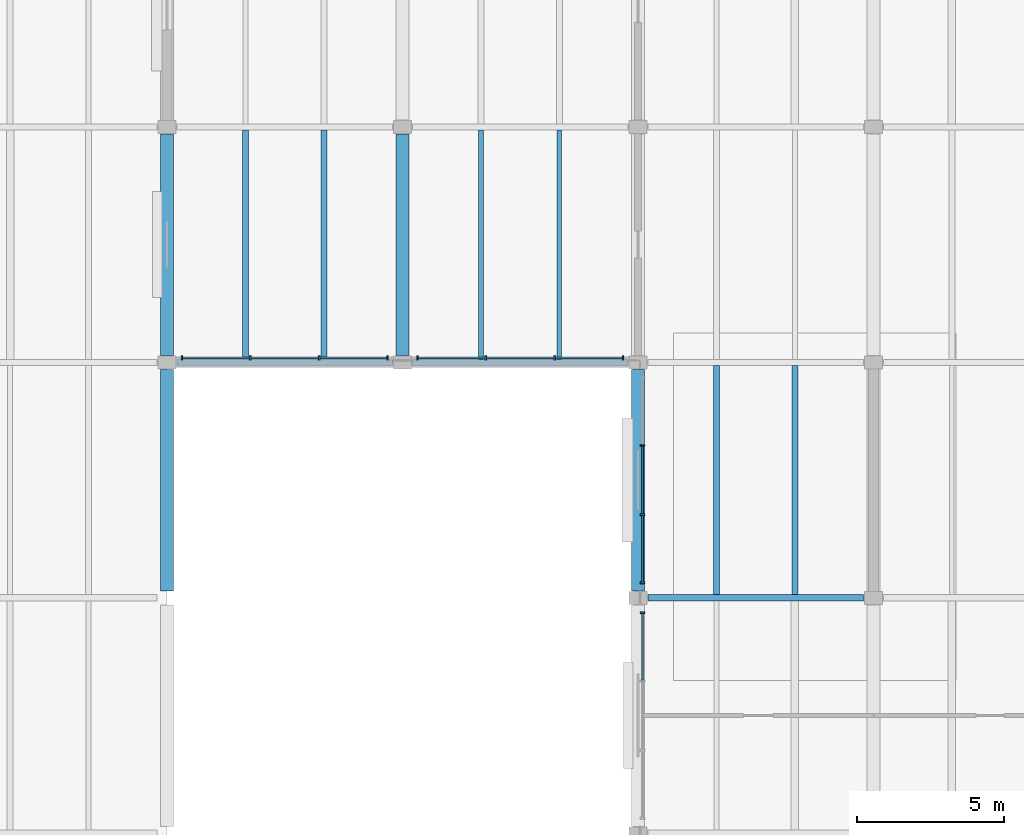
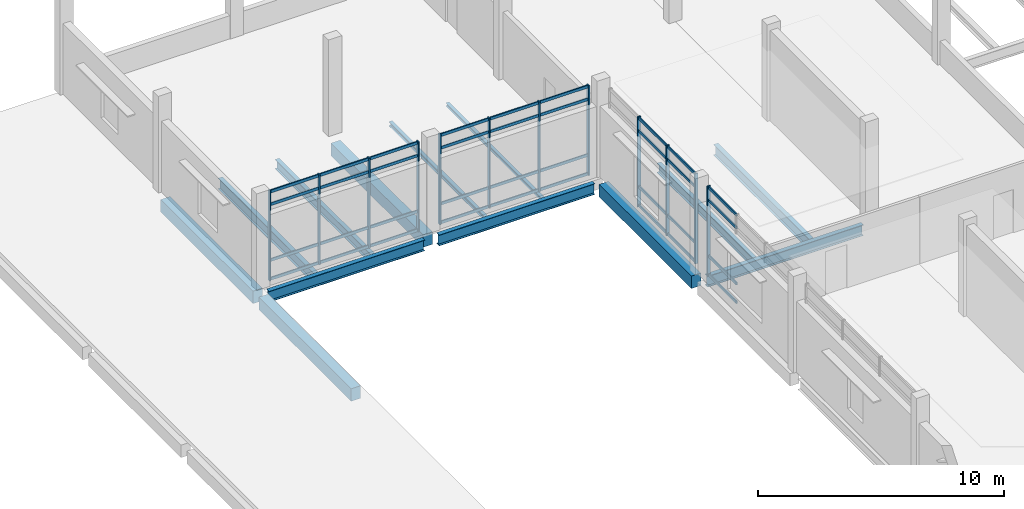
# One storey, part 7 of 52: 48 members, 13 beams, 4 elements without a shape of their own.
"""IFC4 building model written with IfcOpenShell, lengths in metres."""

from ifc_helpers import new_model, si_unit, direction, frame, origin, origin_2d, place, context, subcontext, project, spatial, rectangle, i_section, extrude, material, material_profile, profile_set, type_object, element, aggregate, save


model = new_model("IFC4")

# Units and contexts
model_context = context("Model", 3, precision=1e-05, world=origin(), true_north=direction((0.0, 1.0)))
body_context = subcontext(model_context, "Body", "Model", "MODEL_VIEW")
ifc_project = project(units=[si_unit("LENGTHUNIT", "METRE"), si_unit("AREAUNIT", "SQUARE_METRE"), si_unit("VOLUMEUNIT", "CUBIC_METRE"), si_unit("PLANEANGLEUNIT", "RADIAN"), si_unit("MASSUNIT", "GRAM", prefix="KILO")], contexts=[model_context])

# Site, building, storey
site_placement = place(None, origin())
site = spatial("IfcSite", under=ifc_project, at=site_placement, CompositionType="ELEMENT")
building_placement = place(site_placement, origin())
building = spatial("IfcBuilding", under=site, at=building_placement, Name="Pecanmere Concourse Central Library", CompositionType="ELEMENT")
storey_placement = place(building_placement, frame((0.0, 0.0, 10.5)))
storey = spatial("IfcBuildingStorey", under=building, at=storey_placement, Name="L03", CompositionType="ELEMENT", Elevation=10.5)

# Curtain wall, member
ifc_material_1 = material(Name="Clear anodized aluminium alloy 6063-T6", Category="aluminium")
curtain_wall_type = type_object("IfcCurtainWallType", Name="CW_CLOISTER_GLAZ", PredefinedType="USERDEFINED", material=ifc_material_1)
curtain_wall_1_placement = place(storey_placement, origin())
curtain_wall_1 = element("IfcCurtainWall", 1, at=curtain_wall_1_placement, inside=storey, type_object=curtain_wall_type, Name="Unitised Curtain Wall CW-04 L03-132", ObjectType="UNITISED CURTAIN WALL", PredefinedType="USERDEFINED")
ifc_material_2 = material(Name="Clear anodized aluminium alloy 6063-T6", Category="aluminium")
ifc_material_profile_1 = material_profile(ifc_material_2, rectangle(XDim=0.06005859375, YDim=0.14990234375, at=origin_2d()), Name="AL 60x150")
ifc_profile_set_1 = profile_set([ifc_material_profile_1], Name="Clear anodized aluminium alloy 6063-T6")
member_type_1 = type_object("IfcMemberType", Name="CWM_150x60", PredefinedType="MULLION", material=ifc_profile_set_1)
member_1_placement = place(storey_placement, frame((48.14990234375, 81.489990234375, 0.0), z_axis=(0.0, 0.0, 1.0), x_axis=(0.0, -1.0, 0.0)))
member_1 = element("IfcMember", 2, at=member_1_placement, type_object=member_type_1, Name="CW-04 Mullion 1", PredefinedType="MULLION", context=body_context, shape_type="SweptSolid", body=[
    extrude(rectangle(XDim=0.06005859375, YDim=0.14990234375, at=origin_2d()), origin(), (0.0, 0.0, 1.0), 4.47998046875),
])

# Curtain wall, members
curtain_wall_2_placement = place(storey_placement, origin())
curtain_wall_2 = element("IfcCurtainWall", 3, at=curtain_wall_2_placement, inside=storey, type_object=curtain_wall_type, Name="Unitised Curtain Wall CW-04 L03-134", ObjectType="UNITISED CURTAIN WALL", PredefinedType="USERDEFINED")
member_2_placement = place(storey_placement, frame((48.14990234375, 87.17333984375, 0.0), z_axis=(0.0, 0.0, 1.0), x_axis=(0.0, -1.0, 0.0)))
member_2 = element("IfcMember", 4, at=member_2_placement, type_object=member_type_1, Name="CW-04 Mullion 2", PredefinedType="MULLION", context=body_context, shape_type="SweptSolid", body=[
    extrude(rectangle(XDim=0.06005859375, YDim=0.14990234375, at=origin_2d()), origin(), (0.0, 0.0, 1.0), 4.47998046875),
])
member_3_placement = place(storey_placement, frame((48.14990234375, 84.82666015625, 0.0), z_axis=(0.0, 0.0, 1.0), x_axis=(0.0, -1.0, 0.0)))
member_3 = element("IfcMember", 5, at=member_3_placement, type_object=member_type_1, Name="CW-04 Mullion 3", PredefinedType="MULLION", context=body_context, shape_type="SweptSolid", body=[
    extrude(rectangle(XDim=0.06005859375, YDim=0.14990234375, at=origin_2d()), origin(), (0.0, 0.0, 1.0), 4.47998046875),
])
member_4_placement = place(storey_placement, frame((48.14990234375, 82.510009765625, 0.0), z_axis=(0.0, 0.0, 1.0), x_axis=(0.0, -1.0, 0.0)))
member_4 = element("IfcMember", 6, at=member_4_placement, type_object=member_type_1, Name="CW-04 Mullion 4", PredefinedType="MULLION", context=body_context, shape_type="SweptSolid", body=[
    extrude(rectangle(XDim=0.06005859375, YDim=0.14990234375, at=origin_2d()), origin(), (0.0, 0.0, 1.0), 4.47998046875),
])

curtain_wall_3_placement = place(storey_placement, origin())
curtain_wall_3 = element("IfcCurtainWall", 7, at=curtain_wall_3_placement, inside=storey, type_object=curtain_wall_type, Name="Unitised Curtain Wall CW-04 L03-137", ObjectType="UNITISED CURTAIN WALL", PredefinedType="USERDEFINED")
member_5_placement = place(storey_placement, frame((39.489990234375, 90.14990234375, 0.0), z_axis=(0.0, 0.0, 1.0), x_axis=(-1.0, 0.0, 0.0)))
member_5 = element("IfcMember", 8, at=member_5_placement, type_object=member_type_1, Name="CW-04 Mullion 1", PredefinedType="MULLION", context=body_context, shape_type="SweptSolid", body=[
    extrude(rectangle(XDim=0.06005859375, YDim=0.14990234375, at=origin_2d()), origin(), (0.0, 0.0, 1.0), 4.47998046875),
])
member_6_placement = place(storey_placement, frame((37.17333984375, 90.14990234375, 0.0), z_axis=(0.0, 0.0, 1.0), x_axis=(-1.0, 0.0, 0.0)))
member_6 = element("IfcMember", 9, at=member_6_placement, type_object=member_type_1, Name="CW-04 Mullion 2", PredefinedType="MULLION", context=body_context, shape_type="SweptSolid", body=[
    extrude(rectangle(XDim=0.06005859375, YDim=0.14990234375, at=origin_2d()), origin(), (0.0, 0.0, 1.0), 4.47998046875),
])
member_7_placement = place(storey_placement, frame((34.82666015625, 90.14990234375, 0.0), z_axis=(0.0, 0.0, 1.0), x_axis=(-1.0, 0.0, 0.0)))
member_7 = element("IfcMember", 10, at=member_7_placement, type_object=member_type_1, Name="CW-04 Mullion 3", PredefinedType="MULLION", context=body_context, shape_type="SweptSolid", body=[
    extrude(rectangle(XDim=0.06005859375, YDim=0.14990234375, at=origin_2d()), origin(), (0.0, 0.0, 1.0), 4.47998046875),
])
member_8_placement = place(storey_placement, frame((32.510009765625, 90.14990234375, 0.0), z_axis=(0.0, 0.0, 1.0), x_axis=(-1.0, 0.0, 0.0)))
member_8 = element("IfcMember", 11, at=member_8_placement, type_object=member_type_1, Name="CW-04 Mullion 4", PredefinedType="MULLION", context=body_context, shape_type="SweptSolid", body=[
    extrude(rectangle(XDim=0.06005859375, YDim=0.14990234375, at=origin_2d()), origin(), (0.0, 0.0, 1.0), 4.47998046875),
])

curtain_wall_4_placement = place(storey_placement, origin())
curtain_wall_4 = element("IfcCurtainWall", 12, at=curtain_wall_4_placement, inside=storey, type_object=curtain_wall_type, Name="Unitised Curtain Wall CW-04 L03-138", ObjectType="UNITISED CURTAIN WALL", PredefinedType="USERDEFINED")
member_9_placement = place(storey_placement, frame((47.489990234375, 90.14990234375, 0.0), z_axis=(0.0, 0.0, 1.0), x_axis=(-1.0, 0.0, 0.0)))
member_9 = element("IfcMember", 13, at=member_9_placement, type_object=member_type_1, Name="CW-04 Mullion 1", PredefinedType="MULLION", context=body_context, shape_type="SweptSolid", body=[
    extrude(rectangle(XDim=0.06005859375, YDim=0.14990234375, at=origin_2d()), origin(), (0.0, 0.0, 1.0), 4.47998046875),
])
member_10_placement = place(storey_placement, frame((45.17333984375, 90.14990234375, 0.0), z_axis=(0.0, 0.0, 1.0), x_axis=(-1.0, 0.0, 0.0)))
member_10 = element("IfcMember", 14, at=member_10_placement, type_object=member_type_1, Name="CW-04 Mullion 2", PredefinedType="MULLION", context=body_context, shape_type="SweptSolid", body=[
    extrude(rectangle(XDim=0.06005859375, YDim=0.14990234375, at=origin_2d()), origin(), (0.0, 0.0, 1.0), 4.47998046875),
])
member_11_placement = place(storey_placement, frame((42.82666015625, 90.14990234375, 0.0), z_axis=(0.0, 0.0, 1.0), x_axis=(-1.0, 0.0, 0.0)))
member_11 = element("IfcMember", 15, at=member_11_placement, type_object=member_type_1, Name="CW-04 Mullion 3", PredefinedType="MULLION", context=body_context, shape_type="SweptSolid", body=[
    extrude(rectangle(XDim=0.06005859375, YDim=0.14990234375, at=origin_2d()), origin(), (0.0, 0.0, 1.0), 4.47998046875),
])
member_12_placement = place(storey_placement, frame((40.510009765625, 90.14990234375, 0.0), z_axis=(0.0, 0.0, 1.0), x_axis=(-1.0, 0.0, 0.0)))
member_12 = element("IfcMember", 16, at=member_12_placement, type_object=member_type_1, Name="CW-04 Mullion 4", PredefinedType="MULLION", context=body_context, shape_type="SweptSolid", body=[
    extrude(rectangle(XDim=0.06005859375, YDim=0.14990234375, at=origin_2d()), origin(), (0.0, 0.0, 1.0), 4.47998046875),
])

# Member
ifc_material_3 = material(Name="Clear anodized aluminium alloy 6063-T6", Category="aluminium")
ifc_material_profile_2 = material_profile(ifc_material_3, rectangle(XDim=0.054931640625, YDim=0.139892578125, at=origin_2d()), Name="AL 55x140")
ifc_profile_set_2 = profile_set([ifc_material_profile_2], Name="Clear anodized aluminium alloy 6063-T6")
member_type_2 = type_object("IfcMemberType", Name="CWT_140x55", PredefinedType="USERDEFINED", material=ifc_profile_set_2)
member_13_placement = place(storey_placement, frame((48.14990234375, 81.4599609375, 0.070068359375), z_axis=(0.0, -1.0, 0.0), x_axis=(1.0, 0.0, 0.0)))
member_13 = element("IfcMember", 17, at=member_13_placement, type_object=member_type_2, Name="CW-04 Transom 1.1", ObjectType="TRANSOM", PredefinedType="USERDEFINED", context=body_context, shape_type="SweptSolid", body=[
    extrude(rectangle(XDim=0.054931640625, YDim=0.139892578125, at=origin_2d()), origin(), (0.0, 0.0, 1.0), 2.256591796875),
])

member_14_placement = place(storey_placement, frame((48.14990234375, 81.4599609375, 1.0), z_axis=(0.0, -1.0, 0.0), x_axis=(1.0, 0.0, 0.0)))
member_14 = element("IfcMember", 18, at=member_14_placement, type_object=member_type_2, Name="CW-04 Transom 1.2", ObjectType="TRANSOM", PredefinedType="USERDEFINED", context=body_context, shape_type="SweptSolid", body=[
    extrude(rectangle(XDim=0.054931640625, YDim=0.139892578125, at=origin_2d()), origin(), (0.0, 0.0, 1.0), 2.256591796875),
])

member_15_placement = place(storey_placement, frame((48.14990234375, 81.4599609375, 3.780029296875), z_axis=(0.0, -1.0, 0.0), x_axis=(1.0, 0.0, 0.0)))
member_15 = element("IfcMember", 19, at=member_15_placement, type_object=member_type_2, Name="CW-04 Transom 1.3", ObjectType="TRANSOM", PredefinedType="USERDEFINED", context=body_context, shape_type="SweptSolid", body=[
    extrude(rectangle(XDim=0.054931640625, YDim=0.139892578125, at=origin_2d()), origin(), (0.0, 0.0, 1.0), 2.256591796875),
])

member_16_placement = place(storey_placement, frame((48.14990234375, 81.4599609375, 4.409912109375), z_axis=(0.0, -1.0, 0.0), x_axis=(1.0, 0.0, 0.0)))
member_16 = element("IfcMember", 20, at=member_16_placement, type_object=member_type_2, Name="CW-04 Transom 1.4", ObjectType="TRANSOM", PredefinedType="USERDEFINED", context=body_context, shape_type="SweptSolid", body=[
    extrude(rectangle(XDim=0.054931640625, YDim=0.139892578125, at=origin_2d()), origin(), (0.0, 0.0, 1.0), 2.256591796875),
])

aggregate(curtain_wall_1, [member_1, member_13, member_14, member_15, member_16])

member_17_placement = place(storey_placement, frame((48.14990234375, 87.143310546875, 0.070068359375), z_axis=(0.0, -1.0, 0.0), x_axis=(1.0, 0.0, 0.0)))
member_17 = element("IfcMember", 21, at=member_17_placement, type_object=member_type_2, Name="CW-04 Transom 2.1", ObjectType="TRANSOM", PredefinedType="USERDEFINED", context=body_context, shape_type="SweptSolid", body=[
    extrude(rectangle(XDim=0.054931640625, YDim=0.139892578125, at=origin_2d()), origin(), (0.0, 0.0, 1.0), 2.28662109375),
])

member_18_placement = place(storey_placement, frame((48.14990234375, 87.143310546875, 1.0), z_axis=(0.0, -1.0, 0.0), x_axis=(1.0, 0.0, 0.0)))
member_18 = element("IfcMember", 22, at=member_18_placement, type_object=member_type_2, Name="CW-04 Transom 2.2", ObjectType="TRANSOM", PredefinedType="USERDEFINED", context=body_context, shape_type="SweptSolid", body=[
    extrude(rectangle(XDim=0.054931640625, YDim=0.139892578125, at=origin_2d()), origin(), (0.0, 0.0, 1.0), 2.28662109375),
])

member_19_placement = place(storey_placement, frame((48.14990234375, 87.143310546875, 3.780029296875), z_axis=(0.0, -1.0, 0.0), x_axis=(1.0, 0.0, 0.0)))
member_19 = element("IfcMember", 23, at=member_19_placement, type_object=member_type_2, Name="CW-04 Transom 2.3", ObjectType="TRANSOM", PredefinedType="USERDEFINED", context=body_context, shape_type="SweptSolid", body=[
    extrude(rectangle(XDim=0.054931640625, YDim=0.139892578125, at=origin_2d()), origin(), (0.0, 0.0, 1.0), 2.28662109375),
])

member_20_placement = place(storey_placement, frame((48.14990234375, 87.143310546875, 4.409912109375), z_axis=(0.0, -1.0, 0.0), x_axis=(1.0, 0.0, 0.0)))
member_20 = element("IfcMember", 24, at=member_20_placement, type_object=member_type_2, Name="CW-04 Transom 2.4", ObjectType="TRANSOM", PredefinedType="USERDEFINED", context=body_context, shape_type="SweptSolid", body=[
    extrude(rectangle(XDim=0.054931640625, YDim=0.139892578125, at=origin_2d()), origin(), (0.0, 0.0, 1.0), 2.28662109375),
])

member_21_placement = place(storey_placement, frame((48.14990234375, 84.796630859375, 0.070068359375), z_axis=(0.0, -1.0, 0.0), x_axis=(1.0, 0.0, 0.0)))
member_21 = element("IfcMember", 25, at=member_21_placement, type_object=member_type_2, Name="CW-04 Transom 3.1", ObjectType="TRANSOM", PredefinedType="USERDEFINED", context=body_context, shape_type="SweptSolid", body=[
    extrude(rectangle(XDim=0.054931640625, YDim=0.139892578125, at=origin_2d()), origin(), (0.0, 0.0, 1.0), 2.256591796875),
])

member_22_placement = place(storey_placement, frame((48.14990234375, 84.796630859375, 1.0), z_axis=(0.0, -1.0, 0.0), x_axis=(1.0, 0.0, 0.0)))
member_22 = element("IfcMember", 26, at=member_22_placement, type_object=member_type_2, Name="CW-04 Transom 3.2", ObjectType="TRANSOM", PredefinedType="USERDEFINED", context=body_context, shape_type="SweptSolid", body=[
    extrude(rectangle(XDim=0.054931640625, YDim=0.139892578125, at=origin_2d()), origin(), (0.0, 0.0, 1.0), 2.256591796875),
])

member_23_placement = place(storey_placement, frame((48.14990234375, 84.796630859375, 3.780029296875), z_axis=(0.0, -1.0, 0.0), x_axis=(1.0, 0.0, 0.0)))
member_23 = element("IfcMember", 27, at=member_23_placement, type_object=member_type_2, Name="CW-04 Transom 3.3", ObjectType="TRANSOM", PredefinedType="USERDEFINED", context=body_context, shape_type="SweptSolid", body=[
    extrude(rectangle(XDim=0.054931640625, YDim=0.139892578125, at=origin_2d()), origin(), (0.0, 0.0, 1.0), 2.256591796875),
])

member_24_placement = place(storey_placement, frame((48.14990234375, 84.796630859375, 4.409912109375), z_axis=(0.0, -1.0, 0.0), x_axis=(1.0, 0.0, 0.0)))
member_24 = element("IfcMember", 28, at=member_24_placement, type_object=member_type_2, Name="CW-04 Transom 3.4", ObjectType="TRANSOM", PredefinedType="USERDEFINED", context=body_context, shape_type="SweptSolid", body=[
    extrude(rectangle(XDim=0.054931640625, YDim=0.139892578125, at=origin_2d()), origin(), (0.0, 0.0, 1.0), 2.256591796875),
])

aggregate(curtain_wall_2, [member_2, member_3, member_4, member_17, member_18, member_19, member_20, member_21, member_22, member_23, member_24])

member_25_placement = place(storey_placement, frame((39.4599609375, 90.14990234375, 0.070068359375), z_axis=(-1.0, 0.0, 0.0), x_axis=(0.0, -1.0, 0.0)))
member_25 = element("IfcMember", 29, at=member_25_placement, type_object=member_type_2, Name="CW-04 Transom 1.1", ObjectType="TRANSOM", PredefinedType="USERDEFINED", context=body_context, shape_type="SweptSolid", body=[
    extrude(rectangle(XDim=0.054931640625, YDim=0.139892578125, at=origin_2d()), origin(), (0.0, 0.0, 1.0), 2.256591796875),
])

member_26_placement = place(storey_placement, frame((39.4599609375, 90.14990234375, 1.0), z_axis=(-1.0, 0.0, 0.0), x_axis=(0.0, -1.0, 0.0)))
member_26 = element("IfcMember", 30, at=member_26_placement, type_object=member_type_2, Name="CW-04 Transom 1.2", ObjectType="TRANSOM", PredefinedType="USERDEFINED", context=body_context, shape_type="SweptSolid", body=[
    extrude(rectangle(XDim=0.054931640625, YDim=0.139892578125, at=origin_2d()), origin(), (0.0, 0.0, 1.0), 2.256591796875),
])

member_27_placement = place(storey_placement, frame((39.4599609375, 90.14990234375, 3.780029296875), z_axis=(-1.0, 0.0, 0.0), x_axis=(0.0, -1.0, 0.0)))
member_27 = element("IfcMember", 31, at=member_27_placement, type_object=member_type_2, Name="CW-04 Transom 1.3", ObjectType="TRANSOM", PredefinedType="USERDEFINED", context=body_context, shape_type="SweptSolid", body=[
    extrude(rectangle(XDim=0.054931640625, YDim=0.139892578125, at=origin_2d()), origin(), (0.0, 0.0, 1.0), 2.256591796875),
])

member_28_placement = place(storey_placement, frame((39.4599609375, 90.14990234375, 4.409912109375), z_axis=(-1.0, 0.0, 0.0), x_axis=(0.0, -1.0, 0.0)))
member_28 = element("IfcMember", 32, at=member_28_placement, type_object=member_type_2, Name="CW-04 Transom 1.4", ObjectType="TRANSOM", PredefinedType="USERDEFINED", context=body_context, shape_type="SweptSolid", body=[
    extrude(rectangle(XDim=0.054931640625, YDim=0.139892578125, at=origin_2d()), origin(), (0.0, 0.0, 1.0), 2.256591796875),
])

member_29_placement = place(storey_placement, frame((37.143310546875, 90.14990234375, 0.070068359375), z_axis=(-1.0, 0.0, 0.0), x_axis=(0.0, -1.0, 0.0)))
member_29 = element("IfcMember", 33, at=member_29_placement, type_object=member_type_2, Name="CW-04 Transom 2.1", ObjectType="TRANSOM", PredefinedType="USERDEFINED", context=body_context, shape_type="SweptSolid", body=[
    extrude(rectangle(XDim=0.054931640625, YDim=0.139892578125, at=origin_2d()), origin(), (0.0, 0.0, 1.0), 2.28662109375),
])

member_30_placement = place(storey_placement, frame((37.143310546875, 90.14990234375, 1.0), z_axis=(-1.0, 0.0, 0.0), x_axis=(0.0, -1.0, 0.0)))
member_30 = element("IfcMember", 34, at=member_30_placement, type_object=member_type_2, Name="CW-04 Transom 2.2", ObjectType="TRANSOM", PredefinedType="USERDEFINED", context=body_context, shape_type="SweptSolid", body=[
    extrude(rectangle(XDim=0.054931640625, YDim=0.139892578125, at=origin_2d()), origin(), (0.0, 0.0, 1.0), 2.28662109375),
])

member_31_placement = place(storey_placement, frame((37.143310546875, 90.14990234375, 3.780029296875), z_axis=(-1.0, 0.0, 0.0), x_axis=(0.0, -1.0, 0.0)))
member_31 = element("IfcMember", 35, at=member_31_placement, type_object=member_type_2, Name="CW-04 Transom 2.3", ObjectType="TRANSOM", PredefinedType="USERDEFINED", context=body_context, shape_type="SweptSolid", body=[
    extrude(rectangle(XDim=0.054931640625, YDim=0.139892578125, at=origin_2d()), origin(), (0.0, 0.0, 1.0), 2.28662109375),
])

member_32_placement = place(storey_placement, frame((37.143310546875, 90.14990234375, 4.409912109375), z_axis=(-1.0, 0.0, 0.0), x_axis=(0.0, -1.0, 0.0)))
member_32 = element("IfcMember", 36, at=member_32_placement, type_object=member_type_2, Name="CW-04 Transom 2.4", ObjectType="TRANSOM", PredefinedType="USERDEFINED", context=body_context, shape_type="SweptSolid", body=[
    extrude(rectangle(XDim=0.054931640625, YDim=0.139892578125, at=origin_2d()), origin(), (0.0, 0.0, 1.0), 2.28662109375),
])

member_33_placement = place(storey_placement, frame((34.796630859375, 90.14990234375, 0.070068359375), z_axis=(-1.0, 0.0, 0.0), x_axis=(0.0, -1.0, 0.0)))
member_33 = element("IfcMember", 37, at=member_33_placement, type_object=member_type_2, Name="CW-04 Transom 3.1", ObjectType="TRANSOM", PredefinedType="USERDEFINED", context=body_context, shape_type="SweptSolid", body=[
    extrude(rectangle(XDim=0.054931640625, YDim=0.139892578125, at=origin_2d()), origin(), (0.0, 0.0, 1.0), 2.256591796875),
])

member_34_placement = place(storey_placement, frame((34.796630859375, 90.14990234375, 1.0), z_axis=(-1.0, 0.0, 0.0), x_axis=(0.0, -1.0, 0.0)))
member_34 = element("IfcMember", 38, at=member_34_placement, type_object=member_type_2, Name="CW-04 Transom 3.2", ObjectType="TRANSOM", PredefinedType="USERDEFINED", context=body_context, shape_type="SweptSolid", body=[
    extrude(rectangle(XDim=0.054931640625, YDim=0.139892578125, at=origin_2d()), origin(), (0.0, 0.0, 1.0), 2.256591796875),
])

member_35_placement = place(storey_placement, frame((34.796630859375, 90.14990234375, 3.780029296875), z_axis=(-1.0, 0.0, 0.0), x_axis=(0.0, -1.0, 0.0)))
member_35 = element("IfcMember", 39, at=member_35_placement, type_object=member_type_2, Name="CW-04 Transom 3.3", ObjectType="TRANSOM", PredefinedType="USERDEFINED", context=body_context, shape_type="SweptSolid", body=[
    extrude(rectangle(XDim=0.054931640625, YDim=0.139892578125, at=origin_2d()), origin(), (0.0, 0.0, 1.0), 2.256591796875),
])

member_36_placement = place(storey_placement, frame((34.796630859375, 90.14990234375, 4.409912109375), z_axis=(-1.0, 0.0, 0.0), x_axis=(0.0, -1.0, 0.0)))
member_36 = element("IfcMember", 40, at=member_36_placement, type_object=member_type_2, Name="CW-04 Transom 3.4", ObjectType="TRANSOM", PredefinedType="USERDEFINED", context=body_context, shape_type="SweptSolid", body=[
    extrude(rectangle(XDim=0.054931640625, YDim=0.139892578125, at=origin_2d()), origin(), (0.0, 0.0, 1.0), 2.256591796875),
])

aggregate(curtain_wall_3, [member_5, member_6, member_7, member_8, member_25, member_26, member_27, member_28, member_29, member_30, member_31, member_32, member_33, member_34, member_35, member_36])

member_37_placement = place(storey_placement, frame((47.4599609375, 90.14990234375, 0.070068359375), z_axis=(-1.0, 0.0, 0.0), x_axis=(0.0, -1.0, 0.0)))
member_37 = element("IfcMember", 41, at=member_37_placement, type_object=member_type_2, Name="CW-04 Transom 1.1", ObjectType="TRANSOM", PredefinedType="USERDEFINED", context=body_context, shape_type="SweptSolid", body=[
    extrude(rectangle(XDim=0.054931640625, YDim=0.139892578125, at=origin_2d()), origin(), (0.0, 0.0, 1.0), 2.256591796875),
])

member_38_placement = place(storey_placement, frame((47.4599609375, 90.14990234375, 1.0), z_axis=(-1.0, 0.0, 0.0), x_axis=(0.0, -1.0, 0.0)))
member_38 = element("IfcMember", 42, at=member_38_placement, type_object=member_type_2, Name="CW-04 Transom 1.2", ObjectType="TRANSOM", PredefinedType="USERDEFINED", context=body_context, shape_type="SweptSolid", body=[
    extrude(rectangle(XDim=0.054931640625, YDim=0.139892578125, at=origin_2d()), origin(), (0.0, 0.0, 1.0), 2.256591796875),
])

member_39_placement = place(storey_placement, frame((47.4599609375, 90.14990234375, 3.780029296875), z_axis=(-1.0, 0.0, 0.0), x_axis=(0.0, -1.0, 0.0)))
member_39 = element("IfcMember", 43, at=member_39_placement, type_object=member_type_2, Name="CW-04 Transom 1.3", ObjectType="TRANSOM", PredefinedType="USERDEFINED", context=body_context, shape_type="SweptSolid", body=[
    extrude(rectangle(XDim=0.054931640625, YDim=0.139892578125, at=origin_2d()), origin(), (0.0, 0.0, 1.0), 2.256591796875),
])

member_40_placement = place(storey_placement, frame((47.4599609375, 90.14990234375, 4.409912109375), z_axis=(-1.0, 0.0, 0.0), x_axis=(0.0, -1.0, 0.0)))
member_40 = element("IfcMember", 44, at=member_40_placement, type_object=member_type_2, Name="CW-04 Transom 1.4", ObjectType="TRANSOM", PredefinedType="USERDEFINED", context=body_context, shape_type="SweptSolid", body=[
    extrude(rectangle(XDim=0.054931640625, YDim=0.139892578125, at=origin_2d()), origin(), (0.0, 0.0, 1.0), 2.256591796875),
])

member_41_placement = place(storey_placement, frame((45.143310546875, 90.14990234375, 0.070068359375), z_axis=(-1.0, 0.0, 0.0), x_axis=(0.0, -1.0, 0.0)))
member_41 = element("IfcMember", 45, at=member_41_placement, type_object=member_type_2, Name="CW-04 Transom 2.1", ObjectType="TRANSOM", PredefinedType="USERDEFINED", context=body_context, shape_type="SweptSolid", body=[
    extrude(rectangle(XDim=0.054931640625, YDim=0.139892578125, at=origin_2d()), origin(), (0.0, 0.0, 1.0), 2.28662109375),
])

member_42_placement = place(storey_placement, frame((45.143310546875, 90.14990234375, 1.0), z_axis=(-1.0, 0.0, 0.0), x_axis=(0.0, -1.0, 0.0)))
member_42 = element("IfcMember", 46, at=member_42_placement, type_object=member_type_2, Name="CW-04 Transom 2.2", ObjectType="TRANSOM", PredefinedType="USERDEFINED", context=body_context, shape_type="SweptSolid", body=[
    extrude(rectangle(XDim=0.054931640625, YDim=0.139892578125, at=origin_2d()), origin(), (0.0, 0.0, 1.0), 2.28662109375),
])

member_43_placement = place(storey_placement, frame((45.143310546875, 90.14990234375, 3.780029296875), z_axis=(-1.0, 0.0, 0.0), x_axis=(0.0, -1.0, 0.0)))
member_43 = element("IfcMember", 47, at=member_43_placement, type_object=member_type_2, Name="CW-04 Transom 2.3", ObjectType="TRANSOM", PredefinedType="USERDEFINED", context=body_context, shape_type="SweptSolid", body=[
    extrude(rectangle(XDim=0.054931640625, YDim=0.139892578125, at=origin_2d()), origin(), (0.0, 0.0, 1.0), 2.28662109375),
])

member_44_placement = place(storey_placement, frame((45.143310546875, 90.14990234375, 4.409912109375), z_axis=(-1.0, 0.0, 0.0), x_axis=(0.0, -1.0, 0.0)))
member_44 = element("IfcMember", 48, at=member_44_placement, type_object=member_type_2, Name="CW-04 Transom 2.4", ObjectType="TRANSOM", PredefinedType="USERDEFINED", context=body_context, shape_type="SweptSolid", body=[
    extrude(rectangle(XDim=0.054931640625, YDim=0.139892578125, at=origin_2d()), origin(), (0.0, 0.0, 1.0), 2.28662109375),
])

member_45_placement = place(storey_placement, frame((42.796630859375, 90.14990234375, 0.070068359375), z_axis=(-1.0, 0.0, 0.0), x_axis=(0.0, -1.0, 0.0)))
member_45 = element("IfcMember", 49, at=member_45_placement, type_object=member_type_2, Name="CW-04 Transom 3.1", ObjectType="TRANSOM", PredefinedType="USERDEFINED", context=body_context, shape_type="SweptSolid", body=[
    extrude(rectangle(XDim=0.054931640625, YDim=0.139892578125, at=origin_2d()), origin(), (0.0, 0.0, 1.0), 2.256591796875),
])

member_46_placement = place(storey_placement, frame((42.796630859375, 90.14990234375, 1.0), z_axis=(-1.0, 0.0, 0.0), x_axis=(0.0, -1.0, 0.0)))
member_46 = element("IfcMember", 50, at=member_46_placement, type_object=member_type_2, Name="CW-04 Transom 3.2", ObjectType="TRANSOM", PredefinedType="USERDEFINED", context=body_context, shape_type="SweptSolid", body=[
    extrude(rectangle(XDim=0.054931640625, YDim=0.139892578125, at=origin_2d()), origin(), (0.0, 0.0, 1.0), 2.256591796875),
])

member_47_placement = place(storey_placement, frame((42.796630859375, 90.14990234375, 3.780029296875), z_axis=(-1.0, 0.0, 0.0), x_axis=(0.0, -1.0, 0.0)))
member_47 = element("IfcMember", 51, at=member_47_placement, type_object=member_type_2, Name="CW-04 Transom 3.3", ObjectType="TRANSOM", PredefinedType="USERDEFINED", context=body_context, shape_type="SweptSolid", body=[
    extrude(rectangle(XDim=0.054931640625, YDim=0.139892578125, at=origin_2d()), origin(), (0.0, 0.0, 1.0), 2.256591796875),
])

member_48_placement = place(storey_placement, frame((42.796630859375, 90.14990234375, 4.409912109375), z_axis=(-1.0, 0.0, 0.0), x_axis=(0.0, -1.0, 0.0)))
member_48 = element("IfcMember", 52, at=member_48_placement, type_object=member_type_2, Name="CW-04 Transom 3.4", ObjectType="TRANSOM", PredefinedType="USERDEFINED", context=body_context, shape_type="SweptSolid", body=[
    extrude(rectangle(XDim=0.054931640625, YDim=0.139892578125, at=origin_2d()), origin(), (0.0, 0.0, 1.0), 2.256591796875),
])

aggregate(curtain_wall_4, [member_9, member_10, member_11, member_12, member_37, member_38, member_39, member_40, member_41, member_42, member_43, member_44, member_45, member_46, member_47, member_48])

# Beams
ifc_material_4 = material(Name="Concrete C40/50", Category="concrete")
ifc_material_profile_3 = material_profile(ifc_material_4, rectangle(XDim=0.43994140625, YDim=0.6201171875, at=origin_2d()), Name="RC 440x620")
ifc_profile_set_3 = profile_set([ifc_material_profile_3], Name="Concrete C40/50")
beam_type_1 = type_object("IfcBeamType", Name="GRD_440x620", PredefinedType="USERDEFINED", material=ifc_profile_set_3)
for number, where, z_axis, x_axis, name in (
    (53, (32.0, 82.239990234375, -0.64990234375), (0.0, 1.0, 0.0), (-1.0, 0.0, 0.0), "Primary Girder Y L03-1686"),
    (54, (32.0, 90.239990234375, -0.64990234375), (0.0, 1.0, 0.0), (-1.0, 0.0, 0.0), "Primary Girder Y L03-1687"),
    (55, (40.0, 90.239990234375, -0.64990234375), (0.0, 1.0, 0.0), (-1.0, 0.0, 0.0), "Primary Girder Y L03-1695"),
    (56, (48.0, 82.239990234375, -0.64990234375), (0.0, 1.0, 0.0), (-1.0, 0.0, 0.0), "Primary Girder Y L03-1705"),
):
    element("IfcBeam", number, at=place(storey_placement, frame(where, z_axis=z_axis, x_axis=x_axis)), inside=storey, type_object=beam_type_1, Name=name, ObjectType="GIRDER", PredefinedType="USERDEFINED", context=body_context, shape_type="SweptSolid", body=[
        extrude(rectangle(XDim=0.43994140625, YDim=0.6201171875, at=origin_2d()), origin(), (0.0, 0.0, 1.0), 7.52001953125),
    ])
ifc_material_5 = material(Name="Structural steel ASTM A992 Grade 50", Category="steel")
ifc_material_profile_4 = material_profile(ifc_material_5, i_section(OverallWidth=0.152099609375, OverallDepth=0.152099609375, WebThickness=0.005859375, FlangeThickness=0.006591796875, at=origin_2d()), Name="W150x22.5")
ifc_profile_set_4 = profile_set([ifc_material_profile_4], Name="Structural steel ASTM A992 Grade 50")
beam_type_2 = type_object("IfcBeamType", Name="SBM_W150x22", PredefinedType="LINTEL", material=ifc_profile_set_4)
beam_1_placement = place(storey_placement, frame((45.333251953125, 90.10546875, -0.416015625), z_axis=(0.0, 1.0, 0.0), x_axis=(-1.0, 0.0, 0.0)))
element("IfcBeam", 57, at=beam_1_placement, inside=storey, type_object=beam_type_2, Name="Secondary Floor Joist L03-1903", PredefinedType="LINTEL", context=body_context, shape_type="SweptSolid", body=[
    extrude(i_section(OverallWidth=0.152099609375, OverallDepth=0.152099609375, WebThickness=0.005859375, FlangeThickness=0.006591796875, at=origin_2d()), origin(), (0.0, 0.0, 1.0), 7.7890625),
])
ifc_material_6 = material(Name="Structural steel ASTM A992 Grade 50", Category="steel")
ifc_material_profile_5 = material_profile(ifc_material_6, i_section(OverallWidth=0.1650390625, OverallDepth=0.200927734375, WebThickness=0.006103515625, FlangeThickness=0.01025390625, at=origin_2d()), Name="W200x35.9")
ifc_profile_set_5 = profile_set([ifc_material_profile_5], Name="Structural steel ASTM A992 Grade 50")
beam_type_3 = type_object("IfcBeamType", Name="SBM_W200x36", PredefinedType="LINTEL", material=ifc_profile_set_5)
beam_2_placement = place(storey_placement, frame((42.666748046875, 90.10546875, -0.4404296875), z_axis=(0.0, 1.0, 0.0), x_axis=(-1.0, 0.0, 0.0)))
element("IfcBeam", 58, at=beam_2_placement, inside=storey, type_object=beam_type_3, Name="Secondary Floor Joist L03-1902", PredefinedType="LINTEL", context=body_context, shape_type="SweptSolid", body=[
    extrude(i_section(OverallWidth=0.1650390625, OverallDepth=0.200927734375, WebThickness=0.006103515625, FlangeThickness=0.01025390625, at=origin_2d()), origin(), (0.0, 0.0, 1.0), 7.7890625),
])
ifc_material_7 = material(Name="Structural steel ASTM A992 Grade 50", Category="steel")
ifc_material_profile_6 = material_profile(ifc_material_7, i_section(OverallWidth=0.194091796875, OverallDepth=0.468994140625, WebThickness=0.0126953125, FlangeThickness=0.0205078125, at=origin_2d()), Name="W460x106")
ifc_profile_set_6 = profile_set([ifc_material_profile_6], Name="Structural steel ASTM A992 Grade 50")
beam_type_4 = type_object("IfcBeamType", Name="SBM_W460x106", PredefinedType="USERDEFINED", material=ifc_profile_set_6)
for number, where, z_axis, x_axis, name in (
    (59, (37.333251953125, 90.10546875, -0.574462890625), (0.0, 1.0, 0.0), (-1.0, 0.0, 0.0), "Secondary Floor Joist L03-1888"),
    (60, (50.666748046875, 82.10546875, -0.574462890625), (0.0, 1.0, 0.0), (-1.0, 0.0, 0.0), "Secondary Floor Joist L03-1914"),
):
    element("IfcBeam", number, at=place(storey_placement, frame(where, z_axis=z_axis, x_axis=x_axis)), inside=storey, type_object=beam_type_4, Name=name, ObjectType="GIRDER", PredefinedType="USERDEFINED", context=body_context, shape_type="SweptSolid", body=[
        extrude(i_section(OverallWidth=0.194091796875, OverallDepth=0.468994140625, WebThickness=0.0126953125, FlangeThickness=0.0205078125, at=origin_2d()), origin(), (0.0, 0.0, 1.0), 7.7890625),
    ])
ifc_material_8 = material(Name="Structural steel ASTM A992 Grade 50", Category="steel")
ifc_material_profile_7 = material_profile(ifc_material_8, i_section(OverallWidth=0.2109375, OverallDepth=0.5390625, WebThickness=0.01171875, FlangeThickness=0.018798828125, at=origin_2d()), Name="W530x109")
ifc_profile_set_7 = profile_set([ifc_material_profile_7], Name="Structural steel ASTM A992 Grade 50")
beam_type_5 = type_object("IfcBeamType", Name="SBM_W530x109", PredefinedType="USERDEFINED", material=ifc_profile_set_7)
for number, where, z_axis, x_axis, name in (
    (61, (48.340087890625, 82.0, -0.609619140625), (1.0, 0.0, 0.0), (0.0, 1.0, 0.0), "Primary Girder X L03-1601"),
    (62, (32.340087890625, 90.0, -0.609619140625), (1.0, 0.0, 0.0), (0.0, 1.0, 0.0), "Primary Girder X L03-1607"),
    (63, (40.340087890625, 90.0, -0.609619140625), (1.0, 0.0, 0.0), (0.0, 1.0, 0.0), "Primary Girder X L03-1608"),
):
    element("IfcBeam", number, at=place(storey_placement, frame(where, z_axis=z_axis, x_axis=x_axis)), inside=storey, type_object=beam_type_5, Name=name, ObjectType="GIRDER", PredefinedType="USERDEFINED", context=body_context, shape_type="SweptSolid", body=[
        extrude(i_section(OverallWidth=0.2109375, OverallDepth=0.5390625, WebThickness=0.01171875, FlangeThickness=0.018798828125, at=origin_2d()), origin(), (0.0, 0.0, 1.0), 7.31982421875),
    ])
beam_3_placement = place(storey_placement, frame((53.333251953125, 82.10546875, -0.609619140625), z_axis=(0.0, 1.0, 0.0), x_axis=(-1.0, 0.0, 0.0)))
element("IfcBeam", 64, at=beam_3_placement, inside=storey, type_object=beam_type_5, Name="Secondary Floor Joist L03-1915", ObjectType="GIRDER", PredefinedType="USERDEFINED", context=body_context, shape_type="SweptSolid", body=[
    extrude(i_section(OverallWidth=0.2109375, OverallDepth=0.5390625, WebThickness=0.01171875, FlangeThickness=0.018798828125, at=origin_2d()), origin(), (0.0, 0.0, 1.0), 7.7890625),
])
ifc_material_9 = material(Name="Structural steel ASTM A992 Grade 50", Category="steel")
ifc_material_profile_8 = material_profile(ifc_material_9, i_section(OverallWidth=0.208984375, OverallDepth=0.532958984375, WebThickness=0.01025390625, FlangeThickness=0.015625, at=origin_2d()), Name="W530x92")
ifc_profile_set_8 = profile_set([ifc_material_profile_8], Name="Structural steel ASTM A992 Grade 50")
beam_type_6 = type_object("IfcBeamType", Name="SBM_W530x92", PredefinedType="BEAM", material=ifc_profile_set_8)
beam_4_placement = place(storey_placement, frame((34.666748046875, 90.10546875, -0.6064453125), z_axis=(0.0, 1.0, 0.0), x_axis=(-1.0, 0.0, 0.0)))
element("IfcBeam", 65, at=beam_4_placement, inside=storey, type_object=beam_type_6, Name="Secondary Floor Joist L03-1887", PredefinedType="BEAM", context=body_context, shape_type="SweptSolid", body=[
    extrude(i_section(OverallWidth=0.208984375, OverallDepth=0.532958984375, WebThickness=0.01025390625, FlangeThickness=0.015625, at=origin_2d()), origin(), (0.0, 0.0, 1.0), 7.7890625),
])

save(model, "model.ifc")
